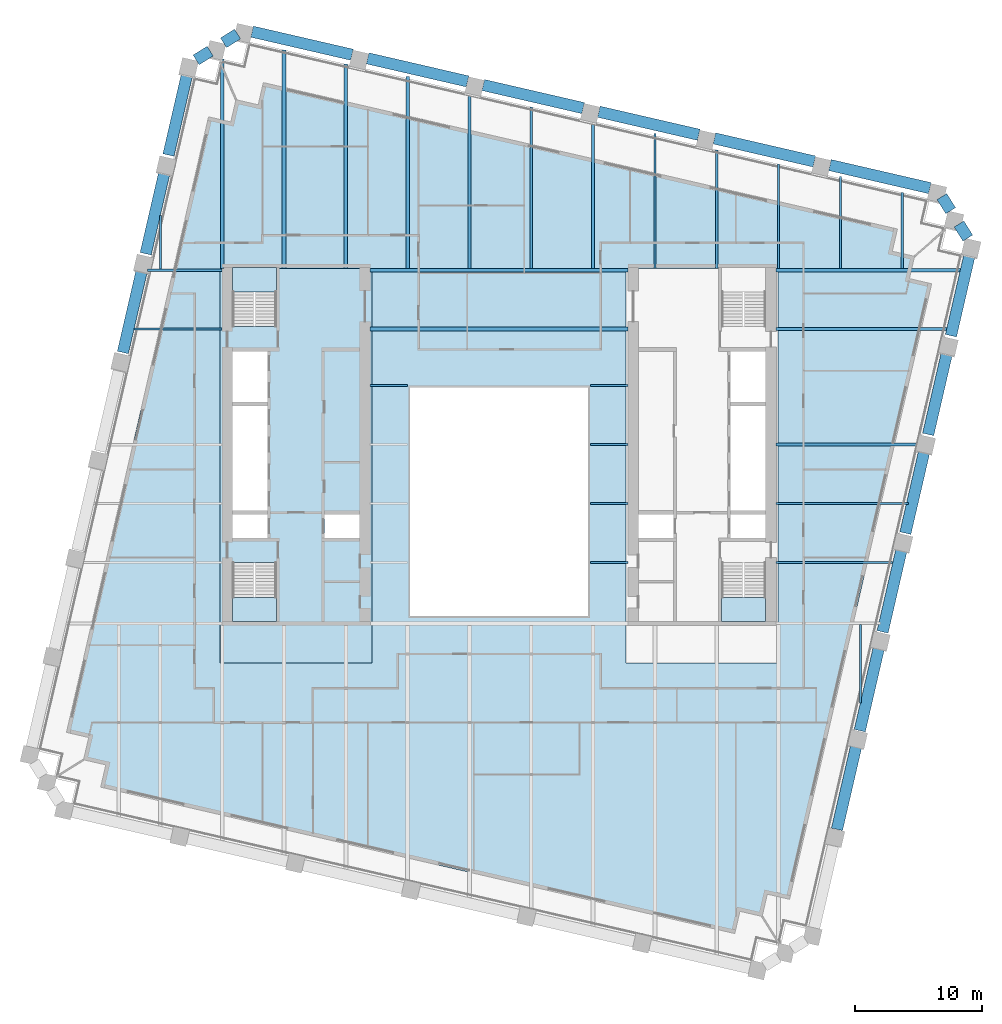
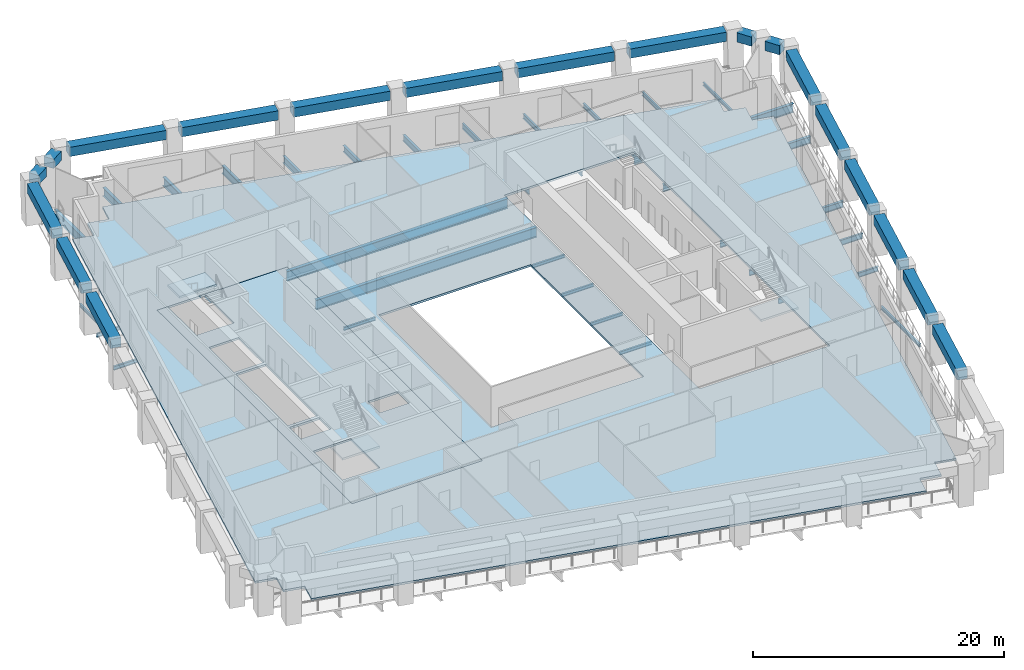
# One storey, part 2 of 11: 47 beams, 5 slabs, 3 elements without a shape of their own.
"""IFC4 building model written with IfcOpenShell, lengths in metres."""

from ifc_helpers import new_model, si_unit, direction, frame, origin, origin_2d, place, context, subcontext, project, spatial, polyline, rectangle, i_section, outline, extrude, material, layer, layer_set, material_profile, profile_set, type_object, element, aggregate, save


model = new_model("IFC4")

# Units and contexts
model_context = context("Model", 3, precision=1e-05, world=origin(), true_north=direction((0.0, 1.0)))
body_context = subcontext(model_context, "Body", "Model", "MODEL_VIEW")
ifc_project = project(units=[si_unit("LENGTHUNIT", "METRE"), si_unit("AREAUNIT", "SQUARE_METRE"), si_unit("VOLUMEUNIT", "CUBIC_METRE"), si_unit("PLANEANGLEUNIT", "RADIAN"), si_unit("MASSUNIT", "GRAM", prefix="KILO")], contexts=[model_context])

# Site, building, storey
site_placement = place(None, origin())
site = spatial("IfcSite", under=ifc_project, at=site_placement, CompositionType="ELEMENT")
building_placement = place(site_placement, origin())
building = spatial("IfcBuilding", under=site, at=building_placement, Name="Ogive Exchange Tower", CompositionType="ELEMENT")
storey_placement = place(building_placement, frame((0.0, 0.0, 109.800048828125)))
storey = spatial("IfcBuildingStorey", under=building, at=storey_placement, Name="L23", CompositionType="ELEMENT", Elevation=109.800048828125)

# Beams
ifc_material_1 = material(Name="Steel ASTM A992 Gr50", Category="steel")
ifc_material_profile_1 = material_profile(ifc_material_1, i_section(OverallWidth=0.300048828125, OverallDepth=0.969970703125, WebThickness=0.01611328125, FlangeThickness=0.02099609375, at=origin_2d()), Name="W1000x222")
ifc_profile_set_1 = profile_set([ifc_material_profile_1], Name="Steel ASTM A992 Gr50")
beam_type_1 = type_object("IfcBeamType", Name="Floor beam W1000x222", PredefinedType="JOIST", material=ifc_profile_set_1)
beam_1_placement = place(storey_placement, frame((-10.169921875, 20.62255859375, -0.68505859375), z_axis=(1.0, 0.0, 0.0), x_axis=(0.0, 1.0, 0.0)))
element("IfcBeam", 1, at=beam_1_placement, inside=storey, type_object=beam_type_1, Name="Floor beam", PredefinedType="JOIST", context=body_context, shape_type="SweptSolid", body=[
    extrude(i_section(OverallWidth=0.300048828125, OverallDepth=0.969970703125, WebThickness=0.01611328125, FlangeThickness=0.02099609375, at=origin_2d()), origin(), (0.0, 0.0, 1.0), 20.33984375),
])
ifc_material_profile_2 = material_profile(ifc_material_1, i_section(OverallWidth=0.1650390625, OverallDepth=0.31005859375, WebThickness=0.005859375, FlangeThickness=0.009765625, at=origin_2d()), Name="W310x38.7")
ifc_profile_set_2 = profile_set([ifc_material_profile_2], Name="Steel ASTM A992 Gr50")
beam_type_2 = type_object("IfcBeamType", Name="Floor beam W310x38.7", PredefinedType="JOIST", material=ifc_profile_set_2)
for number, where, z_axis, x_axis, name in (
    (2, (7.219970703125, 2.208740234375, -0.35498046875), (1.0, 0.0, 0.0), (0.0, 1.0, 0.0), "Floor beam"),
    (3, (7.219970703125, 6.857421875, -0.35498046875), (1.0, 0.0, 0.0), (0.0, 1.0, 0.0), "Floor beam"),
    (4, (7.219970703125, 11.50634765625, -0.35498046875), (1.0, 0.0, 0.0), (0.0, 1.0, 0.0), "Floor beam"),
):
    element("IfcBeam", number, at=place(storey_placement, frame(where, z_axis=z_axis, x_axis=x_axis)), inside=storey, type_object=beam_type_2, Name=name, PredefinedType="JOIST", context=body_context, shape_type="SweptSolid", body=[
        extrude(i_section(OverallWidth=0.1650390625, OverallDepth=0.31005859375, WebThickness=0.005859375, FlangeThickness=0.009765625, at=origin_2d()), origin(), (0.0, 0.0, 1.0), 2.949951171875),
    ])
beam_2_placement = place(storey_placement, frame((28.503662109375, -8.8837890625, -0.35498046875), z_axis=(0.0, 1.0, 0.0), x_axis=(-1.0, 0.0, 0.0)))
element("IfcBeam", 5, at=beam_2_placement, inside=storey, type_object=beam_type_2, Name="Floor beam", PredefinedType="JOIST", context=body_context, shape_type="SweptSolid", body=[
    extrude(i_section(OverallWidth=0.1650390625, OverallDepth=0.31005859375, WebThickness=0.005859375, FlangeThickness=0.009765625, at=origin_2d()), origin(), (0.0, 0.0, 1.0), 6.19287109375),
])
beam_3_placement = place(storey_placement, frame((-26.695068359375, 25.33056640625, -0.35498046875), z_axis=(0.0, 1.0, 0.0), x_axis=(-1.0, 0.0, 0.0)))
element("IfcBeam", 6, at=beam_3_placement, inside=storey, type_object=beam_type_2, Name="Floor beam", PredefinedType="JOIST", context=body_context, shape_type="SweptSolid", body=[
    extrude(i_section(OverallWidth=0.1650390625, OverallDepth=0.31005859375, WebThickness=0.005859375, FlangeThickness=0.009765625, at=origin_2d()), origin(), (0.0, 0.0, 1.0), 4.2373046875),
])
beam_4_placement = place(storey_placement, frame((31.7763671875, 25.39111328125, -0.35498046875), z_axis=(0.0, 1.0, 0.0), x_axis=(-1.0, 0.0, 0.0)))
element("IfcBeam", 7, at=beam_4_placement, inside=storey, type_object=beam_type_2, Name="Floor beam", PredefinedType="JOIST", context=body_context, shape_type="SweptSolid", body=[
    extrude(i_section(OverallWidth=0.1650390625, OverallDepth=0.31005859375, WebThickness=0.005859375, FlangeThickness=0.009765625, at=origin_2d()), origin(), (0.0, 0.0, 1.0), 5.975341796875),
])
ifc_material_profile_3 = material_profile(ifc_material_1, i_section(OverallWidth=0.1708984375, OverallDepth=0.35595703125, WebThickness=0.00732421875, FlangeThickness=0.01171875, at=origin_2d()), Name="W360x51")
ifc_profile_set_3 = profile_set([ifc_material_profile_3], Name="Steel ASTM A992 Gr50")
beam_type_3 = type_object("IfcBeamType", Name="Floor beam W360x51", PredefinedType="JOIST", material=ifc_profile_set_3)
beam_5_placement = place(storey_placement, frame((-28.76025390625, 20.62255859375, -0.3779296875), z_axis=(1.0, 0.0, 0.0), x_axis=(0.0, 1.0, 0.0)))
element("IfcBeam", 8, at=beam_5_placement, inside=storey, type_object=beam_type_3, Name="Floor beam", PredefinedType="JOIST", context=body_context, shape_type="SweptSolid", body=[
    extrude(i_section(OverallWidth=0.1708984375, OverallDepth=0.35595703125, WebThickness=0.00732421875, FlangeThickness=0.01171875, at=origin_2d()), origin(), (0.0, 0.0, 1.0), 6.93017578125),
])
beam_6_placement = place(storey_placement, frame((26.90380859375, 25.39111328125, -0.3779296875), z_axis=(0.0, 1.0, 0.0), x_axis=(-1.0, 0.0, 0.0)))
element("IfcBeam", 9, at=beam_6_placement, inside=storey, type_object=beam_type_3, Name="Floor beam", PredefinedType="JOIST", context=body_context, shape_type="SweptSolid", body=[
    extrude(i_section(OverallWidth=0.1708984375, OverallDepth=0.35595703125, WebThickness=0.00732421875, FlangeThickness=0.01171875, at=origin_2d()), origin(), (0.0, 0.0, 1.0), 7.250244140625),
])
ifc_material_profile_4 = material_profile(ifc_material_1, i_section(OverallWidth=0.177978515625, OverallDepth=0.406005859375, WebThickness=0.0078125, FlangeThickness=0.0126953125, at=origin_2d()), Name="W410x60")
ifc_profile_set_4 = profile_set([ifc_material_profile_4], Name="Steel ASTM A992 Gr50")
beam_type_4 = type_object("IfcBeamType", Name="Floor beam W410x60", PredefinedType="JOIST", material=ifc_profile_set_4)
beam_7_placement = place(storey_placement, frame((22.031005859375, 25.39111328125, -0.403076171875), z_axis=(0.0, 1.0, 0.0), x_axis=(-1.0, 0.0, 0.0)))
element("IfcBeam", 10, at=beam_7_placement, inside=storey, type_object=beam_type_4, Name="Floor beam", PredefinedType="JOIST", context=body_context, shape_type="SweptSolid", body=[
    extrude(i_section(OverallWidth=0.177978515625, OverallDepth=0.406005859375, WebThickness=0.0078125, FlangeThickness=0.0126953125, at=origin_2d()), origin(), (0.0, 0.0, 1.0), 8.225341796875),
])
ifc_material_profile_5 = material_profile(ifc_material_1, i_section(OverallWidth=0.19091796875, OverallDepth=0.45703125, WebThickness=0.009033203125, FlangeThickness=0.014404296875, at=origin_2d()), Name="W460x74")
ifc_profile_set_5 = profile_set([ifc_material_profile_5], Name="Steel ASTM A992 Gr50")
beam_type_5 = type_object("IfcBeamType", Name="Floor beam W460x74", PredefinedType="JOIST", material=ifc_profile_set_5)
beam_8_placement = place(storey_placement, frame((21.830078125, 2.208740234375, -0.428466796875), z_axis=(1.0, 0.0, 0.0), x_axis=(0.0, 1.0, 0.0)))
element("IfcBeam", 11, at=beam_8_placement, inside=storey, type_object=beam_type_5, Name="Floor beam", PredefinedType="JOIST", context=body_context, shape_type="SweptSolid", body=[
    extrude(i_section(OverallWidth=0.19091796875, OverallDepth=0.45703125, WebThickness=0.009033203125, FlangeThickness=0.014404296875, at=origin_2d()), origin(), (0.0, 0.0, 1.0), 9.199951171875),
])
beam_9_placement = place(storey_placement, frame((17.158447265625, 25.39990234375, -0.428466796875), z_axis=(0.0, 1.0, 0.0), x_axis=(-1.0, 0.0, 0.0)))
element("IfcBeam", 12, at=beam_9_placement, inside=storey, type_object=beam_type_5, Name="Floor beam", PredefinedType="JOIST", context=body_context, shape_type="SweptSolid", body=[
    extrude(i_section(OverallWidth=0.19091796875, OverallDepth=0.45703125, WebThickness=0.009033203125, FlangeThickness=0.014404296875, at=origin_2d()), origin(), (0.0, 0.0, 1.0), 9.34130859375),
])
ifc_material_profile_6 = material_profile(ifc_material_1, i_section(OverallWidth=0.1669921875, OverallDepth=0.535888671875, WebThickness=0.01025390625, FlangeThickness=0.0166015625, at=origin_2d()), Name="W530x85")
ifc_profile_set_6 = profile_set([ifc_material_profile_6], Name="Steel ASTM A992 Gr50")
beam_type_6 = type_object("IfcBeamType", Name="Floor beam W530x85", PredefinedType="JOIST", material=ifc_profile_set_6)
beam_10_placement = place(storey_placement, frame((21.830078125, 6.857421875, -0.468017578125), z_axis=(1.0, 0.0, 0.0), x_axis=(0.0, 1.0, 0.0)))
element("IfcBeam", 13, at=beam_10_placement, inside=storey, type_object=beam_type_6, Name="Floor beam", PredefinedType="JOIST", context=body_context, shape_type="SweptSolid", body=[
    extrude(i_section(OverallWidth=0.1669921875, OverallDepth=0.535888671875, WebThickness=0.01025390625, FlangeThickness=0.0166015625, at=origin_2d()), origin(), (0.0, 0.0, 1.0), 10.423095703125),
])
beam_11_placement = place(storey_placement, frame((12.285888671875, 25.39990234375, -0.468017578125), z_axis=(0.0, 1.0, 0.0), x_axis=(-1.0, 0.0, 0.0)))
element("IfcBeam", 14, at=beam_11_placement, inside=storey, type_object=beam_type_6, Name="Floor beam", PredefinedType="JOIST", context=body_context, shape_type="SweptSolid", body=[
    extrude(i_section(OverallWidth=0.1669921875, OverallDepth=0.535888671875, WebThickness=0.01025390625, FlangeThickness=0.0166015625, at=origin_2d()), origin(), (0.0, 0.0, 1.0), 10.6162109375),
])
ifc_material_profile_7 = material_profile(ifc_material_1, i_section(OverallWidth=0.22802734375, OverallDepth=0.60205078125, WebThickness=0.010498046875, FlangeThickness=0.014892578125, at=origin_2d()), Name="W610x101")
ifc_profile_set_7 = profile_set([ifc_material_profile_7], Name="Steel ASTM A992 Gr50")
beam_type_7 = type_object("IfcBeamType", Name="Floor beam W610x101", PredefinedType="JOIST", material=ifc_profile_set_7)
beam_12_placement = place(storey_placement, frame((21.830078125, 11.50634765625, -0.5009765625), z_axis=(1.0, 0.0, 0.0), x_axis=(0.0, 1.0, 0.0)))
element("IfcBeam", 15, at=beam_12_placement, inside=storey, type_object=beam_type_7, Name="Floor beam", PredefinedType="JOIST", context=body_context, shape_type="SweptSolid", body=[
    extrude(i_section(OverallWidth=0.22802734375, OverallDepth=0.60205078125, WebThickness=0.010498046875, FlangeThickness=0.014892578125, at=origin_2d()), origin(), (0.0, 0.0, 1.0), 11.346435546875),
])
beam_13_placement = place(storey_placement, frame((7.4130859375, 25.39501953125, -0.5009765625), z_axis=(0.0, 1.0, 0.0), x_axis=(-1.0, 0.0, 0.0)))
element("IfcBeam", 16, at=beam_13_placement, inside=storey, type_object=beam_type_7, Name="Floor beam", PredefinedType="JOIST", context=body_context, shape_type="SweptSolid", body=[
    extrude(i_section(OverallWidth=0.22802734375, OverallDepth=0.60205078125, WebThickness=0.010498046875, FlangeThickness=0.014892578125, at=origin_2d()), origin(), (0.0, 0.0, 1.0), 11.59619140625),
])
ifc_material_profile_8 = material_profile(ifc_material_1, i_section(OverallWidth=0.22900390625, OverallDepth=0.612060546875, WebThickness=0.011962890625, FlangeThickness=0.01953125, at=origin_2d()), Name="W610x125")
ifc_profile_set_8 = profile_set([ifc_material_profile_8], Name="Steel ASTM A992 Gr50")
beam_type_8 = type_object("IfcBeamType", Name="Floor beam W610x125", PredefinedType="JOIST", material=ifc_profile_set_8)
beam_14_placement = place(storey_placement, frame((2.54052734375, 25.39501953125, -0.506103515625), z_axis=(0.0, 1.0, 0.0), x_axis=(-1.0, 0.0, 0.0)))
element("IfcBeam", 17, at=beam_14_placement, inside=storey, type_object=beam_type_8, Name="Floor beam", PredefinedType="JOIST", context=body_context, shape_type="SweptSolid", body=[
    extrude(i_section(OverallWidth=0.22900390625, OverallDepth=0.612060546875, WebThickness=0.011962890625, FlangeThickness=0.01953125, at=origin_2d()), origin(), (0.0, 0.0, 1.0), 12.72119140625),
])
ifc_material_profile_9 = material_profile(ifc_material_1, i_section(OverallWidth=0.25390625, OverallDepth=0.677978515625, WebThickness=0.01171875, FlangeThickness=0.016357421875, at=origin_2d()), Name="W690x125")
ifc_profile_set_9 = profile_set([ifc_material_profile_9], Name="Steel ASTM A992 Gr50")
beam_type_9 = type_object("IfcBeamType", Name="Floor beam W690x125", PredefinedType="JOIST", material=ifc_profile_set_9)
beam_15_placement = place(storey_placement, frame((21.830078125, 20.62255859375, -0.5390625), z_axis=(1.0, 0.0, 0.0), x_axis=(0.0, 1.0, 0.0)))
element("IfcBeam", 18, at=beam_15_placement, inside=storey, type_object=beam_type_9, Name="Floor beam", PredefinedType="JOIST", context=body_context, shape_type="SweptSolid", body=[
    extrude(i_section(OverallWidth=0.25390625, OverallDepth=0.677978515625, WebThickness=0.01171875, FlangeThickness=0.016357421875, at=origin_2d()), origin(), (0.0, 0.0, 1.0), 13.60107421875),
])
beam_16_placement = place(storey_placement, frame((-2.33203125, 25.39501953125, -0.5390625), z_axis=(0.0, 1.0, 0.0), x_axis=(-1.0, 0.0, 0.0)))
element("IfcBeam", 19, at=beam_16_placement, inside=storey, type_object=beam_type_9, Name="Floor beam", PredefinedType="JOIST", context=body_context, shape_type="SweptSolid", body=[
    extrude(i_section(OverallWidth=0.25390625, OverallDepth=0.677978515625, WebThickness=0.01171875, FlangeThickness=0.016357421875, at=origin_2d()), origin(), (0.0, 0.0, 1.0), 13.845947265625),
])
ifc_material_profile_10 = material_profile(ifc_material_1, i_section(OverallWidth=0.26708984375, OverallDepth=0.75390625, WebThickness=0.01318359375, FlangeThickness=0.01708984375, at=origin_2d()), Name="W760x147")
ifc_profile_set_10 = profile_set([ifc_material_profile_10], Name="Steel ASTM A992 Gr50")
beam_type_10 = type_object("IfcBeamType", Name="Floor beam W760x147", PredefinedType="JOIST", material=ifc_profile_set_10)
beam_17_placement = place(storey_placement, frame((-7.20458984375, 25.39501953125, -0.5771484375), z_axis=(0.0, 1.0, 0.0), x_axis=(-1.0, 0.0, 0.0)))
element("IfcBeam", 20, at=beam_17_placement, inside=storey, type_object=beam_type_10, Name="Floor beam", PredefinedType="JOIST", context=body_context, shape_type="SweptSolid", body=[
    extrude(i_section(OverallWidth=0.26708984375, OverallDepth=0.75390625, WebThickness=0.01318359375, FlangeThickness=0.01708984375, at=origin_2d()), origin(), (0.0, 0.0, 1.0), 15.120849609375),
])
ifc_material_profile_11 = material_profile(ifc_material_1, i_section(OverallWidth=0.2919921875, OverallDepth=0.8359375, WebThickness=0.013916015625, FlangeThickness=0.018798828125, at=origin_2d()), Name="W840x176")
ifc_profile_set_11 = profile_set([ifc_material_profile_11], Name="Steel ASTM A992 Gr50")
beam_type_11 = type_object("IfcBeamType", Name="Floor beam W840x176", PredefinedType="JOIST", material=ifc_profile_set_11)
beam_18_placement = place(storey_placement, frame((-21.822509765625, 25.39990234375, -0.6181640625), z_axis=(0.0, 1.0, 0.0), x_axis=(-1.0, 0.0, 0.0)))
element("IfcBeam", 21, at=beam_18_placement, inside=storey, type_object=beam_type_11, Name="Floor beam", PredefinedType="JOIST", context=body_context, shape_type="SweptSolid", body=[
    extrude(i_section(OverallWidth=0.2919921875, OverallDepth=0.8359375, WebThickness=0.013916015625, FlangeThickness=0.018798828125, at=origin_2d()), origin(), (0.0, 0.0, 1.0), 16.493408203125),
])
beam_19_placement = place(storey_placement, frame((-16.94970703125, 25.39990234375, -0.6181640625), z_axis=(0.0, 1.0, 0.0), x_axis=(-1.0, 0.0, 0.0)))
element("IfcBeam", 22, at=beam_19_placement, inside=storey, type_object=beam_type_11, Name="Floor beam", PredefinedType="JOIST", context=body_context, shape_type="SweptSolid", body=[
    extrude(i_section(OverallWidth=0.2919921875, OverallDepth=0.8359375, WebThickness=0.013916015625, FlangeThickness=0.018798828125, at=origin_2d()), origin(), (0.0, 0.0, 1.0), 17.2158203125),
])
beam_20_placement = place(storey_placement, frame((-12.0771484375, 25.39990234375, -0.6181640625), z_axis=(0.0, 1.0, 0.0), x_axis=(-1.0, 0.0, 0.0)))
element("IfcBeam", 23, at=beam_20_placement, inside=storey, type_object=beam_type_11, Name="Floor beam", PredefinedType="JOIST", context=body_context, shape_type="SweptSolid", body=[
    extrude(i_section(OverallWidth=0.2919921875, OverallDepth=0.8359375, WebThickness=0.013916015625, FlangeThickness=0.018798828125, at=origin_2d()), origin(), (0.0, 0.0, 1.0), 16.091064453125),
])
ifc_material_profile_12 = material_profile(ifc_material_1, i_section(OverallWidth=0.300048828125, OverallDepth=0.97998046875, WebThickness=0.0166015625, FlangeThickness=0.026123046875, at=origin_2d()), Name="W1000x249")
ifc_profile_set_12 = profile_set([ifc_material_profile_12], Name="Steel ASTM A992 Gr50")
beam_type_12 = type_object("IfcBeamType", Name="Girder W1000x249", PredefinedType="BEAM", material=ifc_profile_set_12)
beam_21_placement = place(storey_placement, frame((-10.169921875, 25.2451171875, -0.68994140625), z_axis=(1.0, 0.0, 0.0), x_axis=(0.0, 1.0, 0.0)))
element("IfcBeam", 24, at=beam_21_placement, inside=storey, type_object=beam_type_12, Name="Header girder", PredefinedType="BEAM", context=body_context, shape_type="SweptSolid", body=[
    extrude(i_section(OverallWidth=0.300048828125, OverallDepth=0.97998046875, WebThickness=0.0166015625, FlangeThickness=0.026123046875, at=origin_2d()), origin(), (0.0, 0.0, 1.0), 20.33984375),
])
ifc_material_profile_13 = material_profile(ifc_material_1, i_section(OverallWidth=0.1650390625, OverallDepth=0.31005859375, WebThickness=0.005859375, FlangeThickness=0.009765625, at=origin_2d()), Name="W310x38.7")
ifc_profile_set_13 = profile_set([ifc_material_profile_13], Name="Steel ASTM A992 Gr50")
beam_type_13 = type_object("IfcBeamType", Name="Girder W310x38.7", PredefinedType="BEAM", material=ifc_profile_set_13)
for number, where, z_axis, x_axis, name in (
    (25, (-10.169921875, 16.155029296875, -0.35498046875), (1.0, 0.0, 0.0), (0.0, 1.0, 0.0), "Trimmer girder"),
    (26, (7.219970703125, 16.155029296875, -0.35498046875), (1.0, 0.0, 0.0), (0.0, 1.0, 0.0), "Trimmer girder"),
):
    element("IfcBeam", number, at=place(storey_placement, frame(where, z_axis=z_axis, x_axis=x_axis)), inside=storey, type_object=beam_type_13, Name=name, PredefinedType="BEAM", context=body_context, shape_type="SweptSolid", body=[
        extrude(i_section(OverallWidth=0.1650390625, OverallDepth=0.31005859375, WebThickness=0.005859375, FlangeThickness=0.009765625, at=origin_2d()), origin(), (0.0, 0.0, 1.0), 2.949951171875),
    ])
ifc_material_profile_14 = material_profile(ifc_material_1, i_section(OverallWidth=0.1708984375, OverallDepth=0.35595703125, WebThickness=0.00732421875, FlangeThickness=0.01171875, at=origin_2d()), Name="W360x51")
ifc_profile_set_14 = profile_set([ifc_material_profile_14], Name="Steel ASTM A992 Gr50")
beam_type_14 = type_object("IfcBeamType", Name="Girder W360x51", PredefinedType="BEAM", material=ifc_profile_set_14)
beam_22_placement = place(storey_placement, frame((-27.693115234375, 25.2451171875, -0.3779296875), z_axis=(1.0, 0.0, 0.0), x_axis=(0.0, 1.0, 0.0)))
element("IfcBeam", 27, at=beam_22_placement, inside=storey, type_object=beam_type_14, Name="Header girder", PredefinedType="BEAM", context=body_context, shape_type="SweptSolid", body=[
    extrude(i_section(OverallWidth=0.1708984375, OverallDepth=0.35595703125, WebThickness=0.00732421875, FlangeThickness=0.01171875, at=origin_2d()), origin(), (0.0, 0.0, 1.0), 5.863037109375),
])
ifc_material_profile_15 = material_profile(ifc_material_1, i_section(OverallWidth=0.2919921875, OverallDepth=0.8359375, WebThickness=0.013916015625, FlangeThickness=0.018798828125, at=origin_2d()), Name="W840x176")
ifc_profile_set_15 = profile_set([ifc_material_profile_15], Name="Steel ASTM A992 Gr50")
beam_type_15 = type_object("IfcBeamType", Name="Girder W840x176", PredefinedType="BEAM", material=ifc_profile_set_15)
beam_23_placement = place(storey_placement, frame((21.830078125, 25.2451171875, -0.6181640625), z_axis=(1.0, 0.0, 0.0), x_axis=(0.0, 1.0, 0.0)))
element("IfcBeam", 28, at=beam_23_placement, inside=storey, type_object=beam_type_15, Name="Header girder", PredefinedType="BEAM", context=body_context, shape_type="SweptSolid", body=[
    extrude(i_section(OverallWidth=0.2919921875, OverallDepth=0.8359375, WebThickness=0.013916015625, FlangeThickness=0.018798828125, at=origin_2d()), origin(), (0.0, 0.0, 1.0), 14.668212890625),
])
ifc_material_2 = material(Name="Precast concrete C70/85 (limestone faced)", Category="masonry")
ifc_material_profile_16 = material_profile(ifc_material_2, rectangle(XDim=0.89990234375, YDim=0.89990234375, at=origin_2d()), Name="900 x 900")
ifc_profile_set_16 = profile_set([ifc_material_profile_16], Name="Precast concrete C70/85 (limestone faced)")
beam_type_16 = type_object("IfcBeamType", Name="Precast spandrel 900 x 900 C70/85", PredefinedType="SPANDREL", material=ifc_profile_set_16)
beam_24_placement = place(storey_placement, frame((26.635986328125, -18.82373046875, 3.5), z_axis=(0.224981433717, 0.974363050655, 0.0), x_axis=(-0.974363050655, 0.224981433717, 0.0)))
element("IfcBeam", 29, at=beam_24_placement, inside=storey, type_object=beam_type_16, Name="Spandrel 10", PredefinedType="SPANDREL", context=body_context, shape_type="SweptSolid", body=[
    extrude(rectangle(XDim=0.89990234375, YDim=0.89990234375, at=origin_2d()), origin(), (0.0, 0.0, 1.0), 6.726806640625),
])
for number, where, z_axis, x_axis, name in (
    (30, (28.4326171875, -11.04150390625, 3.5), (0.224973478032, 0.974364887597, 0.0), (-0.974364887597, 0.224973478032, 0.0), "Spandrel 11"),
    (31, (30.2294921875, -3.25927734375, 3.5), (0.224939022556, 0.974372842464, 0.0), (-0.974372842464, 0.224939022556, 0.0), "Spandrel 12"),
):
    element("IfcBeam", number, at=place(storey_placement, frame(where, z_axis=z_axis, x_axis=x_axis)), inside=storey, type_object=beam_type_16, Name=name, PredefinedType="SPANDREL", context=body_context, shape_type="SweptSolid", body=[
        extrude(rectangle(XDim=0.89990234375, YDim=0.89990234375, at=origin_2d()), origin(), (0.0, 0.0, 1.0), 6.72705078125),
    ])
beam_25_placement = place(storey_placement, frame((32.026123046875, 4.523193359375, 3.5), z_axis=(0.224946977153, 0.97437100607, 0.0), x_axis=(-0.97437100607, 0.224946977153, 0.0)))
element("IfcBeam", 32, at=beam_25_placement, inside=storey, type_object=beam_type_16, Name="Spandrel 13", PredefinedType="SPANDREL", context=body_context, shape_type="SweptSolid", body=[
    extrude(rectangle(XDim=0.89990234375, YDim=0.89990234375, at=origin_2d()), origin(), (0.0, 0.0, 1.0), 6.726806640625),
])
for number, where, z_axis, x_axis, name in (
    (33, (33.82275390625, 12.305419921875, 3.5), (0.224973478032, 0.974364887597, 0.0), (-0.974364887597, 0.224973478032, 0.0), "Spandrel 14"),
    (34, (35.619384765625, 20.087646484375, 3.5), (0.224973478032, 0.974364887597, 0.0), (-0.974364887597, 0.224973478032, 0.0), "Spandrel 15"),
):
    element("IfcBeam", number, at=place(storey_placement, frame(where, z_axis=z_axis, x_axis=x_axis)), inside=storey, type_object=beam_type_16, Name=name, PredefinedType="SPANDREL", context=body_context, shape_type="SweptSolid", body=[
        extrude(rectangle(XDim=0.89990234375, YDim=0.89990234375, at=origin_2d()), origin(), (0.0, 0.0, 1.0), 6.72705078125),
    ])
for number, where, z_axis, x_axis, name in (
    (35, (36.9462890625, 27.78125, 3.5), (-0.529847842077, 0.848092721491, 0.0), (-0.848092721491, -0.529847842077, 0.0), "Spandrel 16"),
    (36, (35.597412109375, 29.940185546875, 3.5), (-0.529931776808, 0.848040277303, 0.0), (-0.848040277303, -0.529931776808, 0.0), "Spandrel 17"),
):
    element("IfcBeam", number, at=place(storey_placement, frame(where, z_axis=z_axis, x_axis=x_axis)), inside=storey, type_object=beam_type_16, Name=name, PredefinedType="SPANDREL", context=body_context, shape_type="SweptSolid", body=[
        extrude(rectangle(XDim=0.89990234375, YDim=0.89990234375, at=origin_2d()), origin(), (0.0, 0.0, 1.0), 1.30712890625),
    ])
for number, where, z_axis, x_axis, name in (
    (37, (33.962646484375, 31.71533203125, 3.5), (-0.974363722868, 0.224978522439, 0.0), (-0.224978522439, -0.974363722868, 0.0), "Spandrel 18"),
    (38, (24.852294921875, 33.818603515625, 3.5), (-0.974363722868, 0.224978522439, 0.0), (-0.224978522439, -0.974363722868, 0.0), "Spandrel 19"),
    (39, (15.741943359375, 35.922119140625, 3.5), (-0.974370337884, 0.224949871421, 0.0), (-0.224949871421, -0.974370337884, 0.0), "Spandrel 20"),
    (40, (6.631591796875, 38.025390625, 3.5), (-0.974370337884, 0.224949871421, 0.0), (-0.224949871421, -0.974370337884, 0.0), "Spandrel 21"),
    (41, (-2.478759765625, 40.128662109375, 3.5), (-0.974370337884, 0.224949871421, 0.0), (-0.224949871421, -0.974370337884, 0.0), "Spandrel 22"),
    (42, (-11.589111328125, 42.23193359375, 3.5), (-0.974370337884, 0.224949871421, 0.0), (-0.224949871421, -0.974370337884, 0.0), "Spandrel 23"),
):
    element("IfcBeam", number, at=place(storey_placement, frame(where, z_axis=z_axis, x_axis=x_axis)), inside=storey, type_object=beam_type_16, Name=name, PredefinedType="SPANDREL", context=body_context, shape_type="SweptSolid", body=[
        extrude(rectangle(XDim=0.89990234375, YDim=0.89990234375, at=origin_2d()), origin(), (0.0, 0.0, 1.0), 8.08984375),
    ])
for number, where, z_axis, x_axis, name in (
    (43, (-20.61083984375, 43.865234375, 3.5), (-0.848040277303, -0.529931776808, 0.0), (0.529931776808, -0.848040277303, 0.0), "Spandrel 24"),
    (44, (-22.76953125, 42.516357421875, 3.5), (-0.848040277303, -0.529931776808, 0.0), (0.529931776808, -0.848040277303, 0.0), "Spandrel 25"),
):
    element("IfcBeam", number, at=place(storey_placement, frame(where, z_axis=z_axis, x_axis=x_axis)), inside=storey, type_object=beam_type_16, Name=name, PredefinedType="SPANDREL", context=body_context, shape_type="SweptSolid", body=[
        extrude(rectangle(XDim=0.89990234375, YDim=0.89990234375, at=origin_2d()), origin(), (0.0, 0.0, 1.0), 1.30712890625),
    ])
for number, where, z_axis, x_axis, name in (
    (45, (-24.544921875, 40.881591796875, 3.5), (-0.224946977153, -0.97437100607, 0.0), (0.97437100607, -0.224946977153, 0.0), "Spandrel 26"),
    (46, (-26.341552734375, 33.099365234375, 3.5), (-0.224946977153, -0.97437100607, 0.0), (0.97437100607, -0.224946977153, 0.0), "Spandrel 27"),
):
    element("IfcBeam", number, at=place(storey_placement, frame(where, z_axis=z_axis, x_axis=x_axis)), inside=storey, type_object=beam_type_16, Name=name, PredefinedType="SPANDREL", context=body_context, shape_type="SweptSolid", body=[
        extrude(rectangle(XDim=0.89990234375, YDim=0.89990234375, at=origin_2d()), origin(), (0.0, 0.0, 1.0), 6.726806640625),
    ])
beam_26_placement = place(storey_placement, frame((-28.13818359375, 25.317138671875, 3.5), z_axis=(-0.224973478032, -0.974364887597, 0.0), x_axis=(0.974364887597, -0.224973478032, 0.0)))
element("IfcBeam", 47, at=beam_26_placement, inside=storey, type_object=beam_type_16, Name="Spandrel 28", PredefinedType="SPANDREL", context=body_context, shape_type="SweptSolid", body=[
    extrude(rectangle(XDim=0.89990234375, YDim=0.89990234375, at=origin_2d()), origin(), (0.0, 0.0, 1.0), 6.72705078125),
])

# Slabs
ifc_material_3 = material(Name="Concrete C50/60", Category="concrete")
ifc_layer_1 = layer(ifc_material_3, 0.199951171875)
ifc_layer_set_1 = layer_set([ifc_layer_1], Name="Composite floor slab 200")
slab_type_1 = type_object("IfcSlabType", Name="Composite floor slab 200", PredefinedType="FLOOR", material=ifc_layer_set_1)
slab_1_placement = place(storey_placement, frame((0.0, 0.0, -0.199951171875)))
element("IfcSlab", 48, at=slab_1_placement, inside=storey, type_object=slab_type_1, Name="Composite floor slab", PredefinedType="FLOOR", context=body_context, shape_type="SweptSolid", body=[
    extrude(outline(polyline([(-30.998779296875, -13.74560546875), (-32.752685546875, -13.3408203125), (-32.34765625, -11.5869140625), (-34.1015625, -11.181884765625), (-22.89892578125, 37.341552734375), (-21.145263671875, 36.936767578125), (-20.740234375, 38.690673828125), (-18.986328125, 38.28564453125), (-18.58154296875, 40.03955078125), (31.40380859375, 28.49951171875), (30.998779296875, 26.74560546875), (32.752685546875, 26.3408203125), (32.34765625, 24.5869140625), (34.1015625, 24.181884765625), (22.89892578125, -24.341552734375), (21.145263671875, -23.936767578125), (20.740234375, -25.690673828125), (18.986328125, -25.28564453125), (18.58154296875, -27.03955078125), (-31.40380859375, -15.49951171875), (-30.998779296875, -13.74560546875)]), holes=[polyline([(7.0, -2.0), (7.0, 16.0), (-7.0, 16.0), (-7.0, -2.0), (7.0, -2.0)]), polyline([(-22.0, -5.699951171875), (-10.0, -5.699951171875), (-10.0, 25.39990234375), (-22.0, 25.39990234375), (-22.0, -5.699951171875)]), polyline([(10.0, -5.699951171875), (22.0, -5.699951171875), (22.0, 25.39990234375), (10.0, 25.39990234375), (10.0, -5.699951171875)])]), origin(), (0.0, 0.0, 1.0), 0.199951171875),
])
ifc_material_4 = material(Name="Concrete C70/85", Category="concrete")
ifc_layer_2 = layer(ifc_material_4, 0.199951171875)
ifc_layer_set_2 = layer_set([ifc_layer_2], Name="Core floor slab 200")
slab_type_2 = type_object("IfcSlabType", Name="Core floor slab 200", PredefinedType="FLOOR", material=ifc_layer_set_2)
slab_2_placement = place(storey_placement, frame((0.0, 0.0, -0.199951171875)))
element("IfcSlab", 49, at=slab_2_placement, inside=storey, type_object=slab_type_2, Name="Core floor slab", PredefinedType="FLOOR", context=body_context, shape_type="SweptSolid", body=[
    extrude(outline(polyline([(-10.0, 25.39990234375), (-10.0, -5.699951171875), (-22.0, -5.699951171875), (-22.0, 25.39990234375), (-21.0, 25.39990234375), (-21.0, 20.803955078125), (-17.550048828125, 20.803955078125), (-17.550048828125, 25.39990234375), (-10.0, 25.39990234375)]), holes=[polyline([(-17.550048828125, 2.196044921875), (-21.0, 2.196044921875), (-21.0, -2.449951171875), (-17.550048828125, -2.449951171875), (-17.550048828125, 2.196044921875)]), polyline([(-18.25, 5.992919921875), (-21.0, 5.992919921875), (-21.0, 4.14990234375), (-18.25, 4.14990234375), (-18.25, 5.992919921875)]), polyline([(-11.0, 5.992919921875), (-13.75, 5.992919921875), (-13.75, 4.14990234375), (-11.0, 4.14990234375), (-11.0, 5.992919921875)]), polyline([(-21.0, 14.564208984375), (-21.0, 6.29296875), (-18.25, 6.29296875), (-18.25, 14.564208984375), (-21.0, 14.564208984375)]), polyline([(-18.25, 18.85009765625), (-21.0, 18.85009765625), (-21.0, 14.8642578125), (-18.25, 14.8642578125), (-18.25, 18.85009765625)])]), origin(), (0.0, 0.0, 1.0), 0.199951171875),
])

# Stair, slab
ifc_material_5 = material(Name="Concrete C40/50", Category="concrete")
stair_type = type_object("IfcStairType", Name="Exit stair 1650 wide", PredefinedType="HALF_TURN_STAIR", material=ifc_material_5)
stair_1_placement = place(storey_placement, origin())
stair_1 = element("IfcStair", 50, at=stair_1_placement, inside=storey, type_object=stair_type, Name="L23 exit stair ST1", PredefinedType="HALF_TURN_STAIR")
ifc_layer_3 = layer(ifc_material_5, 0.199951171875)
ifc_layer_set_3 = layer_set([ifc_layer_3], Name="Stair landing 200 slab")
slab_type_3 = type_object("IfcSlabType", Name="Stair landing 200 slab", PredefinedType="LANDING", material=ifc_layer_set_3)
slab_3_placement = place(storey_placement, frame((0.0, 0.0, 1.89990234375)))
slab_3 = element("IfcSlab", 51, at=slab_3_placement, type_object=slab_type_3, Name="ST1 landing 1", PredefinedType="LANDING", context=body_context, shape_type="SweptSolid", body=[
    extrude(outline(polyline([(-21.0, -0.550048828125), (-21.0, -2.449951171875), (-17.550048828125, -2.449951171875), (-17.550048828125, -0.550048828125), (-21.0, -0.550048828125)])), origin(), (0.0, 0.0, 1.0), 0.199951171875),
])
aggregate(stair_1, [slab_3])

stair_2_placement = place(storey_placement, origin())
stair_2 = element("IfcStair", 52, at=stair_2_placement, inside=storey, type_object=stair_type, Name="L23 exit stair ST2", PredefinedType="HALF_TURN_STAIR")
slab_4_placement = place(storey_placement, frame((0.0, 0.0, 1.89990234375)))
slab_4 = element("IfcSlab", 53, at=slab_4_placement, type_object=slab_type_3, Name="ST2 landing 1", PredefinedType="LANDING", context=body_context, shape_type="SweptSolid", body=[
    extrude(outline(polyline([(-17.550048828125, 23.550048828125), (-17.550048828125, 25.449951171875), (-21.0, 25.449951171875), (-21.0, 23.550048828125), (-17.550048828125, 23.550048828125)])), origin(), (0.0, 0.0, 1.0), 0.199951171875),
])
aggregate(stair_2, [slab_4])

stair_3_placement = place(storey_placement, origin())
stair_3 = element("IfcStair", 54, at=stair_3_placement, inside=storey, type_object=stair_type, Name="L23 exit stair ST3", PredefinedType="HALF_TURN_STAIR")
slab_5_placement = place(storey_placement, frame((0.0, 0.0, 1.89990234375)))
slab_5 = element("IfcSlab", 55, at=slab_5_placement, type_object=slab_type_3, Name="ST3 landing 1", PredefinedType="LANDING", context=body_context, shape_type="SweptSolid", body=[
    extrude(outline(polyline([(17.550048828125, -0.550048828125), (17.550048828125, -2.449951171875), (21.0, -2.449951171875), (21.0, -0.550048828125), (17.550048828125, -0.550048828125)])), origin(), (0.0, 0.0, 1.0), 0.199951171875),
])
aggregate(stair_3, [slab_5])

save(model, "model.ifc")
